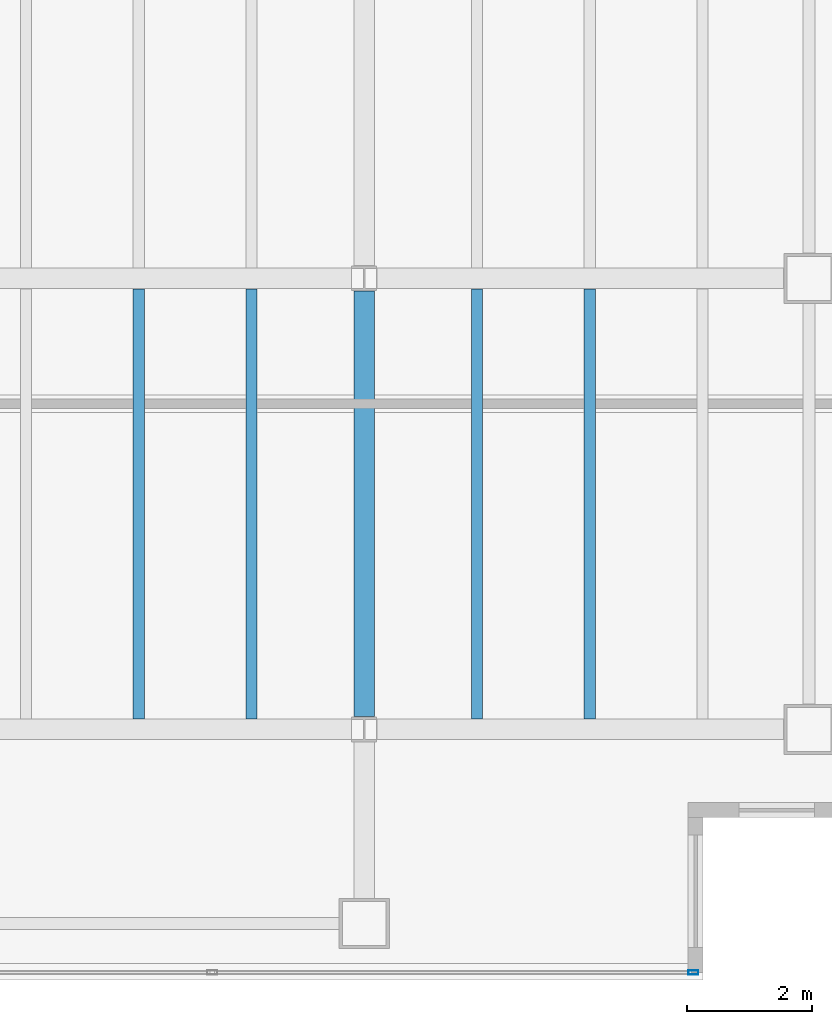
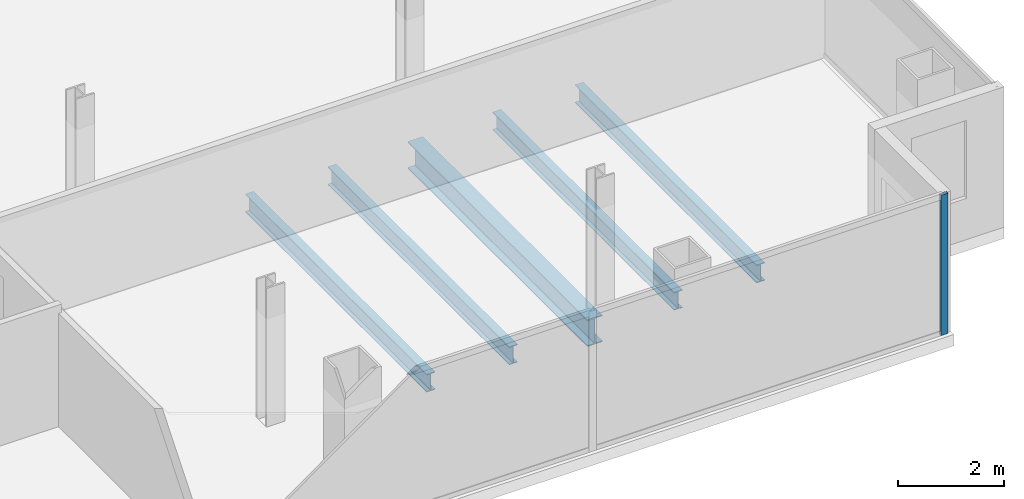
# One storey, part 11 of 23: 5 beams, 1 member, 1 element without a shape of its own.
"""IFC4 building model written with IfcOpenShell, lengths in metres."""

from ifc_helpers import new_model, si_unit, direction, frame, origin, origin_2d, place, context, subcontext, project, spatial, hollow_rectangle, i_section, extrude, material, material_profile, profile_set, type_object, element, aggregate, save


model = new_model("IFC4")

# Units and contexts
model_context = context("Model", 3, precision=1e-05, world=origin(), true_north=direction((0.0, 1.0)))
body_context = subcontext(model_context, "Body", "Model", "MODEL_VIEW")
ifc_project = project(units=[si_unit("LENGTHUNIT", "METRE"), si_unit("AREAUNIT", "SQUARE_METRE"), si_unit("VOLUMEUNIT", "CUBIC_METRE"), si_unit("PLANEANGLEUNIT", "RADIAN"), si_unit("MASSUNIT", "GRAM", prefix="KILO")], contexts=[model_context])

# Site, building, storey
site_placement = place(None, origin())
site = spatial("IfcSite", under=ifc_project, at=site_placement, CompositionType="ELEMENT")
building_placement = place(site_placement, origin())
building = spatial("IfcBuilding", under=site, at=building_placement, Name="Cobrela Telecom Tower", CompositionType="ELEMENT")
storey_placement = place(building_placement, frame((0.0, 0.0, 197.75)))
storey = spatial("IfcBuildingStorey", under=building, at=storey_placement, Name="L50", CompositionType="ELEMENT", Elevation=197.75)

# Beams
ifc_material_1 = material(Name="Steel ASTM A992 Grade 50", Category="steel")
ifc_material_profile_1 = material_profile(ifc_material_1, i_section(OverallWidth=0.327880859375, OverallDepth=0.6220703125, WebThickness=0.015380859375, FlangeThickness=0.0244140625, FilletRadius=0.014892578125, at=origin_2d()), Name="W24X131")
ifc_profile_set_1 = profile_set([ifc_material_profile_1], Name="Steel ASTM A992 Grade 50")
beam_type_1 = type_object("IfcBeamType", Name="BM-GIRD-06", PredefinedType="USERDEFINED", material=ifc_profile_set_1)
beam_placement = place(storey_placement, frame((36.0, 7.404541015625, -0.571044921875), z_axis=(0.0, 1.0, 0.0), x_axis=(-1.0, 0.0, 0.0)))
element("IfcBeam", 1, at=beam_placement, inside=storey, type_object=beam_type_1, Name="L50 Primary Girder Y40", ObjectType="GIRDER", PredefinedType="USERDEFINED", context=body_context, shape_type="SweptSolid", body=[
    extrude(i_section(OverallWidth=0.327880859375, OverallDepth=0.6220703125, WebThickness=0.015380859375, FlangeThickness=0.0244140625, FilletRadius=0.014892578125, at=origin_2d()), origin(), (0.0, 0.0, 1.0), 6.791015625),
])
ifc_material_profile_2 = material_profile(ifc_material_1, i_section(OverallWidth=0.179931640625, OverallDepth=0.4169921875, WebThickness=0.010986328125, FlangeThickness=0.01806640625, FilletRadius=0.011962890625, at=origin_2d()), Name="W16X57")
ifc_profile_set_2 = profile_set([ifc_material_profile_2], Name="Steel ASTM A992 Grade 50")
beam_type_2 = type_object("IfcBeamType", Name="BM-JOIST-04", PredefinedType="JOIST", material=ifc_profile_set_2)
for number, where, z_axis, x_axis, name in (
    (2, (32.39990234375, 7.368896484375, -0.468505859375), (0.0, 1.0, 0.0), (-1.0, 0.0, 0.0), "L50 Secondary Composite Floor Beam J21"),
    (3, (34.199951171875, 7.368896484375, -0.468505859375), (0.0, 1.0, 0.0), (-1.0, 0.0, 0.0), "L50 Secondary Composite Floor Beam J23"),
    (4, (37.800048828125, 7.368896484375, -0.468505859375), (0.0, 1.0, 0.0), (-1.0, 0.0, 0.0), "L50 Secondary Composite Floor Beam J25"),
    (5, (39.60009765625, 7.368896484375, -0.468505859375), (0.0, 1.0, 0.0), (-1.0, 0.0, 0.0), "L50 Secondary Composite Floor Beam J27"),
):
    element("IfcBeam", number, at=place(storey_placement, frame(where, z_axis=z_axis, x_axis=x_axis)), inside=storey, type_object=beam_type_2, Name=name, PredefinedType="JOIST", context=body_context, shape_type="SweptSolid", body=[
        extrude(i_section(OverallWidth=0.179931640625, OverallDepth=0.4169921875, WebThickness=0.010986328125, FlangeThickness=0.01806640625, FilletRadius=0.011962890625, at=origin_2d()), origin(), (0.0, 0.0, 1.0), 6.862060546875),
    ])

# Curtain wall, member
ifc_material_2 = material(Name="Anodized Bronze Aluminium 6063-T6", Category="aluminium")
curtain_wall_type = type_object("IfcCurtainWallType", Name="CW-SYS-OFF-LO", PredefinedType="USERDEFINED", material=ifc_material_2)
curtain_wall_placement = place(storey_placement, origin())
curtain_wall = element("IfcCurtainWall", 6, at=curtain_wall_placement, inside=storey, type_object=curtain_wall_type, Name="L50 Unitised Bronze Curtain Wall 17", ObjectType="UNITISED CURTAIN WALL", PredefinedType="USERDEFINED")
ifc_material_profile_3 = material_profile(ifc_material_2, hollow_rectangle(XDim=0.070068359375, YDim=0.159912109375, WallThickness=0.00390625, at=origin_2d()), Name="ALU 70x160x4")
ifc_profile_set_3 = profile_set([ifc_material_profile_3], Name="Anodized Bronze Aluminium 6063-T6")
member_type = type_object("IfcMemberType", Name="CW-SYS-OFF-LO-MUL", PredefinedType="MULLION", material=ifc_profile_set_3)
member_placement = place(storey_placement, frame((41.2548828125, 3.320068359375, 0.0), z_axis=(0.0, 0.0, 1.0), x_axis=(0.0, -1.0, 0.0)))
member = element("IfcMember", 7, at=member_placement, type_object=member_type, Name="CW-OFF-LO mullion 1", PredefinedType="MULLION", context=body_context, shape_type="SweptSolid", body=[
    extrude(hollow_rectangle(XDim=0.070068359375, YDim=0.159912109375, WallThickness=0.00390625, at=origin_2d()), origin(), (0.0, 0.0, 1.0), 3.239990234375),
])
aggregate(curtain_wall, [member])

save(model, "model.ifc")
